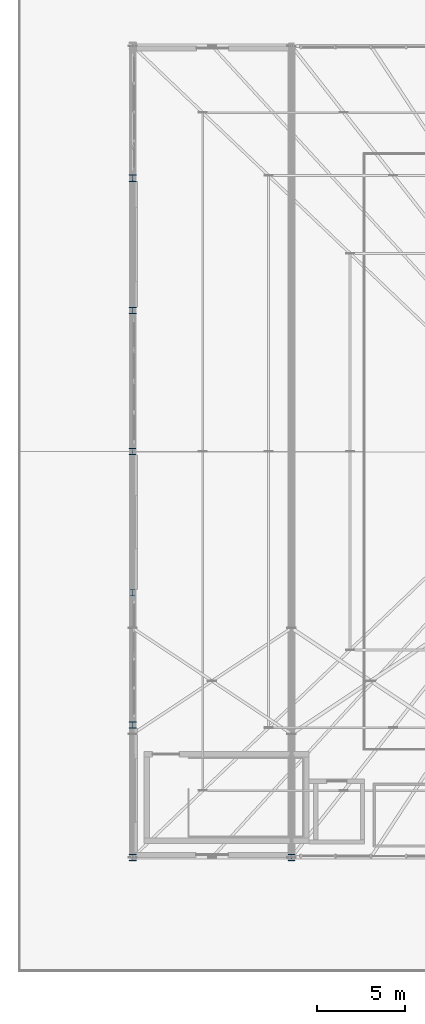
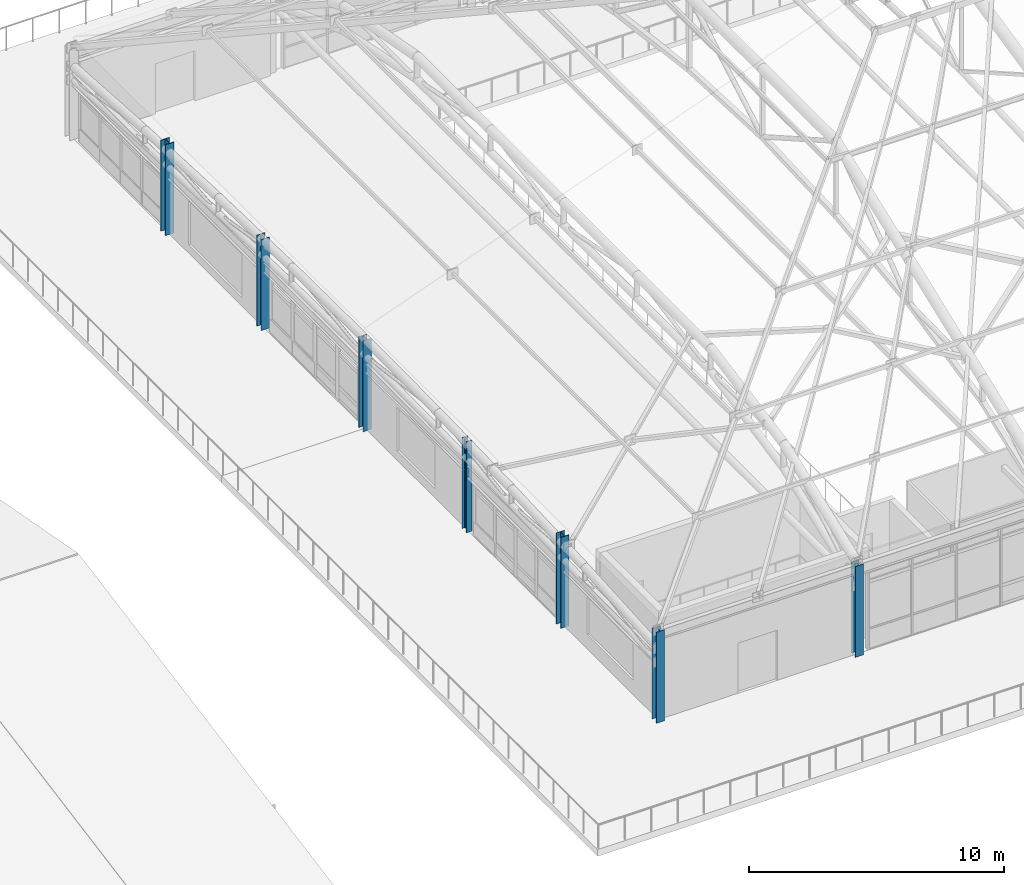
# One storey, part 1 of 168: 7 columns.
"""IFC4 building model written with IfcOpenShell, lengths in metres."""

from ifc_helpers import new_model, si_unit, direction, frame, origin, origin_2d, place, context, subcontext, project, spatial, i_section, extrude, material, material_profile, profile_set, type_object, element, save


model = new_model("IFC4")

# Units and contexts
model_context = context("Model", 3, precision=1e-05, world=origin(), true_north=direction((0.0, 1.0)))
body_context = subcontext(model_context, "Body", "Model", "MODEL_VIEW")
ifc_project = project(units=[si_unit("LENGTHUNIT", "METRE"), si_unit("AREAUNIT", "SQUARE_METRE"), si_unit("VOLUMEUNIT", "CUBIC_METRE"), si_unit("PLANEANGLEUNIT", "RADIAN"), si_unit("MASSUNIT", "GRAM", prefix="KILO"), si_unit("THERMODYNAMICTEMPERATUREUNIT", "KELVIN"), si_unit("POWERUNIT", "WATT")], contexts=[model_context])

# Site, building, storey
site_placement = place(None, origin())
site = spatial("IfcSite", under=ifc_project, at=site_placement, CompositionType="ELEMENT")
building_placement = place(site_placement, origin())
building = spatial("IfcBuilding", under=site, at=building_placement, Name="Tepalcoro Natatorium and Aquatics Centre", CompositionType="ELEMENT")
storey_placement = place(building_placement, frame((0.0, 0.0, 10.199951171875)))
storey = spatial("IfcBuildingStorey", under=building, at=storey_placement, Name="L02", CompositionType="ELEMENT", Elevation=10.199951171875)

# Columns
ifc_material = material(Name="Steel ASTM A992 Grade 50 (Fy 345 MPa)", Category="steel")
ifc_material_profile_1 = material_profile(ifc_material, i_section(OverallWidth=0.37109375, OverallDepth=0.363037109375, WebThickness=0.012939453125, FlangeThickness=0.02197265625, FilletRadius=0.013916015625, at=origin_2d()), Name="W14X109")
ifc_profile_set_1 = profile_set([ifc_material_profile_1], Name="Steel ASTM A992 Grade 50 (Fy 345 MPa)")
column_type_1 = type_object("IfcColumnType", Name="COL_W14x109", PredefinedType="COLUMN", material=ifc_profile_set_1)
column_1_placement = place(storey_placement, frame((53.0, 13.0, 0.0), z_axis=(0.0, 0.0, 1.0), x_axis=(1.0, 0.0, 0.0)))
element("IfcColumn", 1, at=column_1_placement, inside=storey, type_object=column_type_1, Name="V1 L02 Grid Column (53.0, 13.0)", PredefinedType="COLUMN", context=body_context, shape_type="SweptSolid", body=[
    extrude(i_section(OverallWidth=0.37109375, OverallDepth=0.363037109375, WebThickness=0.012939453125, FlangeThickness=0.02197265625, FilletRadius=0.013916015625, at=origin_2d()), origin(), (0.0, 0.0, 1.0), 4.35009765625),
])
ifc_material_profile_2 = material_profile(ifc_material, i_section(OverallWidth=0.373046875, OverallDepth=0.367919921875, WebThickness=0.014892578125, FlangeThickness=0.02392578125, FilletRadius=0.013916015625, at=origin_2d()), Name="W14X120")
ifc_profile_set_2 = profile_set([ifc_material_profile_2], Name="Steel ASTM A992 Grade 50 (Fy 345 MPa)")
column_type_2 = type_object("IfcColumnType", Name="COL_W14x120", PredefinedType="COLUMN", material=ifc_profile_set_2)
column_2_placement = place(storey_placement, frame((53.0, 44.0, 0.0), z_axis=(0.0, 0.0, 1.0), x_axis=(1.0, 0.0, 0.0)))
element("IfcColumn", 2, at=column_2_placement, inside=storey, type_object=column_type_2, Name="V1 L02 Grid Column (53.0, 44.0)", PredefinedType="COLUMN", context=body_context, shape_type="SweptSolid", body=[
    extrude(i_section(OverallWidth=0.373046875, OverallDepth=0.367919921875, WebThickness=0.014892578125, FlangeThickness=0.02392578125, FilletRadius=0.013916015625, at=origin_2d()), origin(), (0.0, 0.0, 1.0), 4.35009765625),
])
ifc_material_profile_3 = material_profile(ifc_material, i_section(OverallWidth=0.3740234375, OverallDepth=0.373046875, WebThickness=0.01611328125, FlangeThickness=0.02587890625, FilletRadius=0.013916015625, at=origin_2d()), Name="W14X132")
ifc_profile_set_3 = profile_set([ifc_material_profile_3], Name="Steel ASTM A992 Grade 50 (Fy 345 MPa)")
column_type_3 = type_object("IfcColumnType", Name="COL_W14x132", PredefinedType="COLUMN", material=ifc_profile_set_3)
column_3_placement = place(storey_placement, frame((53.0, 20.5, 0.0), z_axis=(0.0, 0.0, 1.0), x_axis=(1.0, 0.0, 0.0)))
element("IfcColumn", 3, at=column_3_placement, inside=storey, type_object=column_type_3, Name="V1 L02 Grid Column (53.0, 20.5)", PredefinedType="COLUMN", context=body_context, shape_type="SweptSolid", body=[
    extrude(i_section(OverallWidth=0.3740234375, OverallDepth=0.373046875, WebThickness=0.01611328125, FlangeThickness=0.02587890625, FilletRadius=0.013916015625, at=origin_2d()), origin(), (0.0, 0.0, 1.0), 4.35009765625),
])
ifc_material_profile_4 = material_profile(ifc_material, i_section(OverallWidth=0.39404296875, OverallDepth=0.3759765625, WebThickness=0.01708984375, FlangeThickness=0.028076171875, FilletRadius=0.013916015625, at=origin_2d()), Name="W14X145")
ifc_profile_set_4 = profile_set([ifc_material_profile_4], Name="Steel ASTM A992 Grade 50 (Fy 345 MPa)")
column_type_4 = type_object("IfcColumnType", Name="COL_W14x145", PredefinedType="COLUMN", material=ifc_profile_set_4)
column_4_placement = place(storey_placement, frame((53.0, 51.5, 0.0), z_axis=(0.0, 0.0, 1.0), x_axis=(1.0, 0.0, 0.0)))
element("IfcColumn", 4, at=column_4_placement, inside=storey, type_object=column_type_4, Name="V1 L02 Grid Column (53.0, 51.5)", PredefinedType="COLUMN", context=body_context, shape_type="SweptSolid", body=[
    extrude(i_section(OverallWidth=0.39404296875, OverallDepth=0.3759765625, WebThickness=0.01708984375, FlangeThickness=0.028076171875, FilletRadius=0.013916015625, at=origin_2d()), origin(), (0.0, 0.0, 1.0), 4.35009765625),
])
ifc_material_profile_5 = material_profile(ifc_material, i_section(OverallWidth=0.25390625, OverallDepth=0.35595703125, WebThickness=0.010986328125, FlangeThickness=0.01806640625, FilletRadius=0.013916015625, at=origin_2d()), Name="W14X68")
ifc_profile_set_5 = profile_set([ifc_material_profile_5], Name="Steel ASTM A992 Grade 50 (Fy 345 MPa)")
column_type_5 = type_object("IfcColumnType", Name="COL_W14x68", PredefinedType="COLUMN", material=ifc_profile_set_5)
column_5_placement = place(storey_placement, frame((53.0, 28.0, 0.0), z_axis=(0.0, 0.0, 1.0), x_axis=(1.0, 0.0, 0.0)))
element("IfcColumn", 5, at=column_5_placement, inside=storey, type_object=column_type_5, Name="V1 L02 Grid Column (53.0, 28.0)", PredefinedType="COLUMN", context=body_context, shape_type="SweptSolid", body=[
    extrude(i_section(OverallWidth=0.25390625, OverallDepth=0.35595703125, WebThickness=0.010986328125, FlangeThickness=0.01806640625, FilletRadius=0.013916015625, at=origin_2d()), origin(), (0.0, 0.0, 1.0), 4.35009765625),
])
ifc_material_profile_6 = material_profile(ifc_material, i_section(OverallWidth=0.367919921875, OverallDepth=0.35595703125, WebThickness=0.010986328125, FlangeThickness=0.01806640625, FilletRadius=0.013916015625, at=origin_2d()), Name="W14X90")
ifc_profile_set_6 = profile_set([ifc_material_profile_6], Name="Steel ASTM A992 Grade 50 (Fy 345 MPa)")
column_type_6 = type_object("IfcColumnType", Name="COL_W14x90", PredefinedType="COLUMN", material=ifc_profile_set_6)
for number, where, z_axis, x_axis, name in (
    (6, (53.0, 36.0, 0.0), (0.0, 0.0, 1.0), (1.0, 0.0, 0.0), "V1 L02 Grid Column (53.0, 36.0)"),
    (7, (62.0, 13.0, 0.0), (0.0, 0.0, 1.0), (1.0, 0.0, 0.0), "V1 L02 Grid Column (62.0, 13.0)"),
):
    element("IfcColumn", number, at=place(storey_placement, frame(where, z_axis=z_axis, x_axis=x_axis)), inside=storey, type_object=column_type_6, Name=name, PredefinedType="COLUMN", context=body_context, shape_type="SweptSolid", body=[
        extrude(i_section(OverallWidth=0.367919921875, OverallDepth=0.35595703125, WebThickness=0.010986328125, FlangeThickness=0.01806640625, FilletRadius=0.013916015625, at=origin_2d()), origin(), (0.0, 0.0, 1.0), 4.35009765625),
    ])

save(model, "model.ifc")
